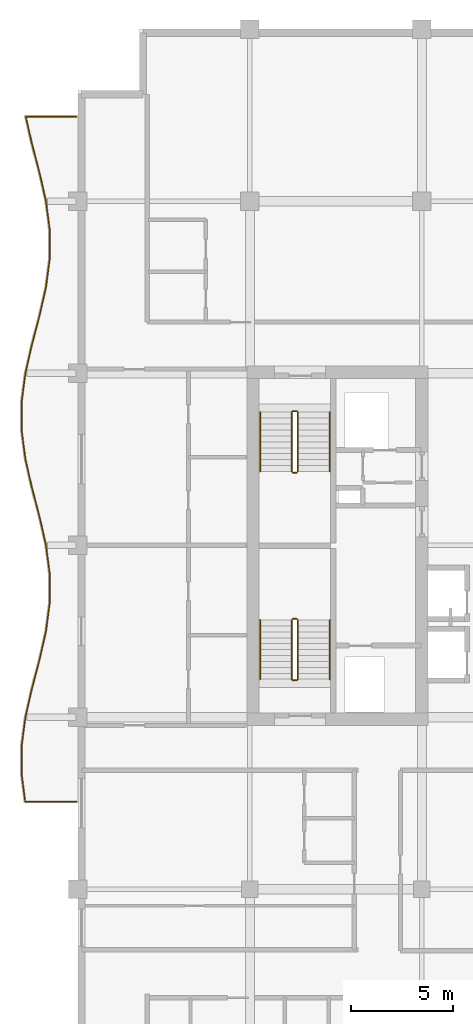
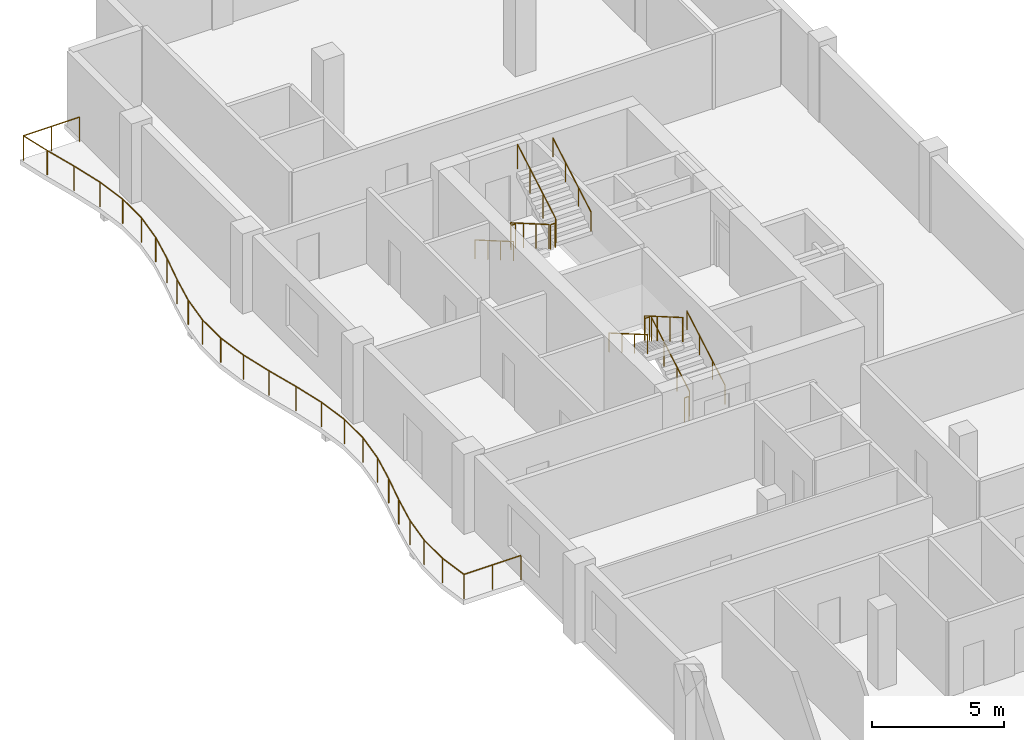
# One storey, part 12 of 12: 13 railings.
"""IFC4 building model written with IfcOpenShell, lengths in metres."""

from ifc_helpers import new_model, si_unit, direction, frame, origin, origin_2d, place, context, subcontext, project, spatial, circle, extrude, material, type_object, element, save


model = new_model("IFC4")

# Units and contexts
model_context = context("Model", 3, precision=1e-05, world=origin(), true_north=direction((0.0, 1.0)))
body_context = subcontext(model_context, "Body", "Model", "MODEL_VIEW")
ifc_project = project(units=[si_unit("LENGTHUNIT", "METRE"), si_unit("AREAUNIT", "SQUARE_METRE"), si_unit("VOLUMEUNIT", "CUBIC_METRE"), si_unit("PLANEANGLEUNIT", "RADIAN"), si_unit("MASSUNIT", "GRAM", prefix="KILO")], contexts=[model_context])

# Site, building, storey
site_placement = place(None, origin())
site = spatial("IfcSite", under=ifc_project, at=site_placement, CompositionType="ELEMENT")
building_placement = place(site_placement, origin())
building = spatial("IfcBuilding", under=site, at=building_placement, Name="Koriwani Terraces Tower", CompositionType="ELEMENT")
storey_placement = place(building_placement, frame((0.0, 0.0, 249.0)))
storey = spatial("IfcBuildingStorey", under=building, at=storey_placement, Name="L61", CompositionType="ELEMENT", Elevation=249.0)

# Railings
ifc_material = material(Name="Steel ASTM A572 Grade 50", Category="steel")
railing_type_1 = type_object("IfcRailingType", Name="GUARD_BALUSTRADE_1150", PredefinedType="BALUSTRADE", material=ifc_material)
railing_1_placement = place(storey_placement, frame((8.320068359375, 37.8798828125, 0.0)))
element("IfcRailing", 1, at=railing_1_placement, inside=storey, type_object=railing_type_1, Name="L61 Balcony Perimeter Safety Balustrade (W)", PredefinedType="BALUSTRADE", context=body_context, shape_type="SweptSolid", body=[
    extrude(circle(Radius=0.02392578125, at=origin_2d()), frame((0.0, 0.0, 1.1259765625), z_axis=(-1.0, 0.0, 0.0), x_axis=(0.0, -1.0, 0.0)), (0.0, 0.0, 1.0), 2.491943359375),
    extrude(circle(Radius=0.02392578125, at=origin_2d()), frame((-2.491943359375, 0.0, 1.1259765625), z_axis=(-0.130057587779, 0.991506441664, 0.0), x_axis=(-0.991506441664, -0.130057587779, 0.0)), (0.0, 0.0, 1.0), 1.33642578125),
    extrude(circle(Radius=0.02392578125, at=origin_2d()), frame((-2.665771484375, 1.3251953125, 1.1259765625), z_axis=(0.0, 1.0, 0.0), x_axis=(-1.0, 0.0, 0.0)), (0.0, 0.0, 1.0), 1.3896484375),
    extrude(circle(Radius=0.02392578125, at=origin_2d()), frame((-2.665771484375, 2.71484375, 1.1259765625), z_axis=(0.130157426935, 0.991493340479, 0.0), x_axis=(-0.991493340479, 0.130157426935, 0.0)), (0.0, 0.0, 1.0), 1.403076171875),
    extrude(circle(Radius=0.02392578125, at=origin_2d()), frame((-2.483154296875, 4.10595703125, 1.1259765625), z_axis=(0.221480974814, 0.975164692652, 0.0), x_axis=(-0.975164692652, 0.221480974814, 0.0)), (0.0, 0.0, 1.0), 1.430908203125),
    extrude(circle(Radius=0.02392578125, at=origin_2d()), frame((-2.166259765625, 5.501220703125, 1.1259765625), z_axis=(0.254028314271, 0.967196782226, 0.0), x_axis=(-0.967196782226, 0.254028314271, 0.0)), (0.0, 0.0, 1.0), 1.447265625),
    extrude(circle(Radius=0.02392578125, at=origin_2d()), frame((-1.798583984375, 6.901123046875, 1.1259765625), z_axis=(0.221665052023, 0.975122866469, 0.0), x_axis=(-0.975122866469, 0.221665052023, 0.0)), (0.0, 0.0, 1.0), 1.440673828125),
    extrude(circle(Radius=0.02392578125, at=origin_2d()), frame((-1.479248046875, 8.305908203125, 1.1259765625), z_axis=(0.12989004906, 0.991528403605, 0.0), x_axis=(-0.991528403605, 0.12989004906, 0.0)), (0.0, 0.0, 1.0), 1.4208984375),
    extrude(circle(Radius=0.02392578125, at=origin_2d()), frame((-1.294677734375, 9.71484375, 1.1259765625), z_axis=(0.0, 1.0, 0.0), x_axis=(-1.0, 0.0, 0.0)), (0.0, 0.0, 1.0), 1.410400390625),
    extrude(circle(Radius=0.02392578125, at=origin_2d()), frame((-1.294677734375, 11.125244140625, 1.1259765625), z_axis=(-0.12989004906, 0.991528403605, 0.0), x_axis=(-0.991528403605, -0.12989004906, 0.0)), (0.0, 0.0, 1.0), 1.4208984375),
    extrude(circle(Radius=0.02392578125, at=origin_2d()), frame((-1.479248046875, 12.5341796875, 1.1259765625), z_axis=(-0.221628427149, 0.975131191317, 0.0), x_axis=(-0.975131191317, -0.221628427149, 0.0)), (0.0, 0.0, 1.0), 1.44091796875),
    extrude(circle(Radius=0.02392578125, at=origin_2d()), frame((-1.798583984375, 13.939208984375, 1.1259765625), z_axis=(-0.254028314271, 0.967196782226, 0.0), x_axis=(-0.967196782226, -0.254028314271, 0.0)), (0.0, 0.0, 1.0), 1.447265625),
    extrude(circle(Radius=0.02392578125, at=origin_2d()), frame((-2.166259765625, 15.339111328125, 1.1259765625), z_axis=(-0.221517834068, 0.975156320387, 0.0), x_axis=(-0.975156320387, -0.221517834068, 0.0)), (0.0, 0.0, 1.0), 1.4306640625),
    extrude(circle(Radius=0.02392578125, at=origin_2d()), frame((-2.483154296875, 16.734130859375, 1.1259765625), z_axis=(-0.130157426935, 0.991493340479, 0.0), x_axis=(-0.991493340479, -0.130157426935, 0.0)), (0.0, 0.0, 1.0), 1.403076171875),
    extrude(circle(Radius=0.02392578125, at=origin_2d()), frame((-2.665771484375, 18.125244140625, 1.1259765625), z_axis=(0.0, 1.0, 0.0), x_axis=(-1.0, 0.0, 0.0)), (0.0, 0.0, 1.0), 1.3896484375),
    extrude(circle(Radius=0.02392578125, at=origin_2d()), frame((-2.665771484375, 19.514892578125, 1.1259765625), z_axis=(0.130157426935, 0.991493340479, 0.0), x_axis=(-0.991493340479, 0.130157426935, 0.0)), (0.0, 0.0, 1.0), 1.403076171875),
    extrude(circle(Radius=0.02392578125, at=origin_2d()), frame((-2.483154296875, 20.906005859375, 1.1259765625), z_axis=(0.221517834068, 0.975156320387, 0.0), x_axis=(-0.975156320387, 0.221517834068, 0.0)), (0.0, 0.0, 1.0), 1.4306640625),
    extrude(circle(Radius=0.02392578125, at=origin_2d()), frame((-2.166259765625, 22.301025390625, 1.1259765625), z_axis=(0.253986877518, 0.967207664387, 0.0), x_axis=(-0.967207664387, 0.253986877518, 0.0)), (0.0, 0.0, 1.0), 1.447509765625),
    extrude(circle(Radius=0.02392578125, at=origin_2d()), frame((-1.798583984375, 23.701171875, 1.1259765625), z_axis=(0.221665052023, 0.975122866469, 0.0), x_axis=(-0.975122866469, 0.221665052023, 0.0)), (0.0, 0.0, 1.0), 1.440673828125),
    extrude(circle(Radius=0.02392578125, at=origin_2d()), frame((-1.479248046875, 25.10595703125, 1.1259765625), z_axis=(0.12989004906, 0.991528403605, 0.0), x_axis=(-0.991528403605, 0.12989004906, 0.0)), (0.0, 0.0, 1.0), 1.4208984375),
    extrude(circle(Radius=0.02392578125, at=origin_2d()), frame((-1.294677734375, 26.514892578125, 1.1259765625), z_axis=(0.0, 1.0, 0.0), x_axis=(-1.0, 0.0, 0.0)), (0.0, 0.0, 1.0), 1.410400390625),
    extrude(circle(Radius=0.02392578125, at=origin_2d()), frame((-1.294677734375, 27.92529296875, 1.1259765625), z_axis=(-0.12989004906, 0.991528403605, 0.0), x_axis=(-0.991528403605, -0.12989004906, 0.0)), (0.0, 0.0, 1.0), 1.4208984375),
    extrude(circle(Radius=0.02392578125, at=origin_2d()), frame((-1.479248046875, 29.334228515625, 1.1259765625), z_axis=(-0.221665052023, 0.975122866469, 0.0), x_axis=(-0.975122866469, -0.221665052023, 0.0)), (0.0, 0.0, 1.0), 1.440673828125),
    extrude(circle(Radius=0.02392578125, at=origin_2d()), frame((-1.798583984375, 30.739013671875, 1.1259765625), z_axis=(-0.253986877518, 0.967207664387, 0.0), x_axis=(-0.967207664387, -0.253986877518, 0.0)), (0.0, 0.0, 1.0), 1.447509765625),
    extrude(circle(Radius=0.02392578125, at=origin_2d()), frame((-2.166259765625, 32.13916015625, 1.1259765625), z_axis=(-0.221597376316, 0.97513824805, 0.0), x_axis=(-0.97513824805, -0.221597376316, 0.0)), (0.0, 0.0, 1.0), 1.334228515625),
    extrude(circle(Radius=0.02392578125, at=origin_2d()), frame((-2.4619140625, 33.440185546875, 1.1259765625), z_axis=(1.0, 0.0, 0.0), x_axis=(0.0, 1.0, 0.0)), (0.0, 0.0, 1.0), 2.4619140625),
    extrude(circle(Radius=0.02099609375, at=origin_2d()), origin(), (0.0, 0.0, 1.0), 1.101806640625),
    extrude(circle(Radius=0.02099609375, at=origin_2d()), frame((-1.24609375, 0.0, 0.0)), (0.0, 0.0, 1.0), 1.101806640625),
    extrude(circle(Radius=0.02099609375, at=origin_2d()), frame((-2.491943359375, 0.0, 0.0)), (0.0, 0.0, 1.0), 1.101806640625),
    extrude(circle(Radius=0.02099609375, at=origin_2d()), frame((-2.665771484375, 1.3251953125, 0.0)), (0.0, 0.0, 1.0), 1.101806640625),
    extrude(circle(Radius=0.02099609375, at=origin_2d()), frame((-2.665771484375, 2.71484375, 0.0)), (0.0, 0.0, 1.0), 1.101806640625),
    extrude(circle(Radius=0.02099609375, at=origin_2d()), frame((-2.483154296875, 4.10595703125, 0.0)), (0.0, 0.0, 1.0), 1.101806640625),
    extrude(circle(Radius=0.02099609375, at=origin_2d()), frame((-2.166259765625, 5.501220703125, 0.0)), (0.0, 0.0, 1.0), 1.101806640625),
    extrude(circle(Radius=0.02099609375, at=origin_2d()), frame((-1.798583984375, 6.901123046875, 0.0)), (0.0, 0.0, 1.0), 1.101806640625),
    extrude(circle(Radius=0.02099609375, at=origin_2d()), frame((-1.479248046875, 8.305908203125, 0.0)), (0.0, 0.0, 1.0), 1.101806640625),
    extrude(circle(Radius=0.02099609375, at=origin_2d()), frame((-1.294677734375, 9.71484375, 0.0)), (0.0, 0.0, 1.0), 1.101806640625),
    extrude(circle(Radius=0.02099609375, at=origin_2d()), frame((-1.294677734375, 11.125244140625, 0.0)), (0.0, 0.0, 1.0), 1.101806640625),
    extrude(circle(Radius=0.02099609375, at=origin_2d()), frame((-1.479248046875, 12.5341796875, 0.0)), (0.0, 0.0, 1.0), 1.101806640625),
    extrude(circle(Radius=0.02099609375, at=origin_2d()), frame((-1.798583984375, 13.939208984375, 0.0)), (0.0, 0.0, 1.0), 1.101806640625),
    extrude(circle(Radius=0.02099609375, at=origin_2d()), frame((-2.166259765625, 15.339111328125, 0.0)), (0.0, 0.0, 1.0), 1.101806640625),
    extrude(circle(Radius=0.02099609375, at=origin_2d()), frame((-2.483154296875, 16.734130859375, 0.0)), (0.0, 0.0, 1.0), 1.101806640625),
    extrude(circle(Radius=0.02099609375, at=origin_2d()), frame((-2.665771484375, 18.125244140625, 0.0)), (0.0, 0.0, 1.0), 1.101806640625),
    extrude(circle(Radius=0.02099609375, at=origin_2d()), frame((-2.665771484375, 19.514892578125, 0.0)), (0.0, 0.0, 1.0), 1.101806640625),
    extrude(circle(Radius=0.02099609375, at=origin_2d()), frame((-2.483154296875, 20.906005859375, 0.0)), (0.0, 0.0, 1.0), 1.101806640625),
    extrude(circle(Radius=0.02099609375, at=origin_2d()), frame((-2.166259765625, 22.301025390625, 0.0)), (0.0, 0.0, 1.0), 1.101806640625),
    extrude(circle(Radius=0.02099609375, at=origin_2d()), frame((-1.798583984375, 23.701171875, 0.0)), (0.0, 0.0, 1.0), 1.101806640625),
    extrude(circle(Radius=0.02099609375, at=origin_2d()), frame((-1.479248046875, 25.10595703125, 0.0)), (0.0, 0.0, 1.0), 1.101806640625),
    extrude(circle(Radius=0.02099609375, at=origin_2d()), frame((-1.294677734375, 26.514892578125, 0.0)), (0.0, 0.0, 1.0), 1.101806640625),
    extrude(circle(Radius=0.02099609375, at=origin_2d()), frame((-1.294677734375, 27.92529296875, 0.0)), (0.0, 0.0, 1.0), 1.101806640625),
    extrude(circle(Radius=0.02099609375, at=origin_2d()), frame((-1.479248046875, 29.334228515625, 0.0)), (0.0, 0.0, 1.0), 1.101806640625),
    extrude(circle(Radius=0.02099609375, at=origin_2d()), frame((-1.798583984375, 30.739013671875, 0.0)), (0.0, 0.0, 1.0), 1.101806640625),
    extrude(circle(Radius=0.02099609375, at=origin_2d()), frame((-2.166259765625, 32.13916015625, 0.0)), (0.0, 0.0, 1.0), 1.101806640625),
    extrude(circle(Radius=0.02099609375, at=origin_2d()), frame((-2.4619140625, 33.440185546875, 0.0)), (0.0, 0.0, 1.0), 1.101806640625),
    extrude(circle(Radius=0.02099609375, at=origin_2d()), frame((-1.23095703125, 33.440185546875, 0.0)), (0.0, 0.0, 1.0), 1.101806640625),
    extrude(circle(Radius=0.02099609375, at=origin_2d()), frame((0.0, 33.440185546875, 0.0)), (0.0, 0.0, 1.0), 1.101806640625),
])
railing_type_2 = type_object("IfcRailingType", Name="GUARD_STAIR_WELL_1120", PredefinedType="GUARDRAIL", material=ifc_material)
railing_2_placement = place(storey_placement, frame((19.14990234375, 43.85009765625, 0.168212890625)))
element("IfcRailing", 2, at=railing_2_placement, inside=storey, type_object=railing_type_2, Name="L61 ST-W1 stair guard 1", PredefinedType="GUARDRAIL", context=body_context, shape_type="SweptSolid", body=[
    extrude(circle(Radius=0.02392578125, at=origin_2d()), frame((0.0, 0.0, 1.1259765625), z_axis=(0.0, 0.865038774852, 0.501705010941), x_axis=(-1.0, 0.0, 0.0)), (0.0, 0.0, 1.0), 3.352294921875),
    extrude(circle(Radius=0.02099609375, at=origin_2d()), origin(), (0.0, 0.0, 1.0), 1.101806640625),
    extrude(circle(Radius=0.02099609375, at=origin_2d()), frame((0.0, 0.966552734375, 0.560546875)), (0.0, 0.0, 1.0), 1.101806640625),
    extrude(circle(Radius=0.02099609375, at=origin_2d()), frame((0.0, 1.933349609375, 1.121337890625)), (0.0, 0.0, 1.0), 1.101806640625),
    extrude(circle(Radius=0.02099609375, at=origin_2d()), frame((0.0, 2.89990234375, 1.681884765625)), (0.0, 0.0, 1.0), 1.101806640625),
])
railing_3_placement = place(storey_placement, frame((19.10009765625, 46.800048828125, 1.85009765625)))
element("IfcRailing", 3, at=railing_3_placement, inside=storey, type_object=railing_type_2, Name="L61 ST-W1 stair guard 2", PredefinedType="GUARDRAIL", context=body_context, shape_type="SweptSolid", body=[
    extrude(circle(Radius=0.02392578125, at=origin_2d()), frame((0.0, 0.0, 1.1259765625), z_axis=(-1.0, 0.0, 0.0), x_axis=(0.0, -1.0, 0.0)), (0.0, 0.0, 1.0), 0.2001953125),
    extrude(circle(Radius=0.02099609375, at=origin_2d()), origin(), (0.0, 0.0, 1.0), 1.101806640625),
    extrude(circle(Radius=0.02099609375, at=origin_2d()), frame((-0.2001953125, 0.0, 0.0)), (0.0, 0.0, 1.0), 1.101806640625),
])
railing_4_placement = place(storey_placement, frame((18.85009765625, 46.75, 2.01806640625)))
element("IfcRailing", 4, at=railing_4_placement, inside=storey, type_object=railing_type_2, Name="L61 ST-W1 stair guard 3", PredefinedType="GUARDRAIL", context=body_context, shape_type="SweptSolid", body=[
    extrude(circle(Radius=0.02392578125, at=origin_2d()), frame((0.0, 0.0, 1.1259765625), z_axis=(0.0, -0.865038774852, 0.501705010941), x_axis=(1.0, 0.0, 0.0)), (0.0, 0.0, 1.0), 3.352294921875),
    extrude(circle(Radius=0.02099609375, at=origin_2d()), origin(), (0.0, 0.0, 1.0), 1.101806640625),
    extrude(circle(Radius=0.02099609375, at=origin_2d()), frame((0.0, -0.966552734375, 0.560546875)), (0.0, 0.0, 1.0), 1.101806640625),
    extrude(circle(Radius=0.02099609375, at=origin_2d()), frame((0.0, -1.933349609375, 1.121337890625)), (0.0, 0.0, 1.0), 1.101806640625),
    extrude(circle(Radius=0.02099609375, at=origin_2d()), frame((0.0, -2.89990234375, 1.681884765625)), (0.0, 0.0, 1.0), 1.101806640625),
])
railing_5_placement = place(storey_placement, frame((19.10009765625, 43.800048828125, 0.0)))
element("IfcRailing", 5, at=railing_5_placement, inside=storey, type_object=railing_type_2, Name="L61 ST-W1 stair guard 4", PredefinedType="GUARDRAIL", context=body_context, shape_type="SweptSolid", body=[
    extrude(circle(Radius=0.02392578125, at=origin_2d()), frame((0.0, 0.0, 1.1259765625), z_axis=(-1.0, 0.0, 0.0), x_axis=(0.0, -1.0, 0.0)), (0.0, 0.0, 1.0), 0.2001953125),
    extrude(circle(Radius=0.02099609375, at=origin_2d()), origin(), (0.0, 0.0, 1.0), 1.101806640625),
    extrude(circle(Radius=0.02099609375, at=origin_2d()), frame((-0.2001953125, 0.0, 0.0)), (0.0, 0.0, 1.0), 1.101806640625),
])
railing_6_placement = place(storey_placement, frame((18.85009765625, 56.89990234375, 0.168212890625)))
element("IfcRailing", 6, at=railing_6_placement, inside=storey, type_object=railing_type_2, Name="L61 ST-W2 stair guard 1", PredefinedType="GUARDRAIL", context=body_context, shape_type="SweptSolid", body=[
    extrude(circle(Radius=0.02392578125, at=origin_2d()), frame((0.0, 0.0, 1.1259765625), z_axis=(0.0, -0.865038774852, 0.501705010941), x_axis=(1.0, 0.0, 0.0)), (0.0, 0.0, 1.0), 3.352294921875),
    extrude(circle(Radius=0.02099609375, at=origin_2d()), origin(), (0.0, 0.0, 1.0), 1.101806640625),
    extrude(circle(Radius=0.02099609375, at=origin_2d()), frame((0.0, -0.966552734375, 0.560546875)), (0.0, 0.0, 1.0), 1.101806640625),
    extrude(circle(Radius=0.02099609375, at=origin_2d()), frame((0.0, -1.933349609375, 1.121337890625)), (0.0, 0.0, 1.0), 1.101806640625),
    extrude(circle(Radius=0.02099609375, at=origin_2d()), frame((0.0, -2.89990234375, 1.681884765625)), (0.0, 0.0, 1.0), 1.101806640625),
])
railing_7_placement = place(storey_placement, frame((18.89990234375, 53.949951171875, 1.85009765625)))
element("IfcRailing", 7, at=railing_7_placement, inside=storey, type_object=railing_type_2, Name="L61 ST-W2 stair guard 2", PredefinedType="GUARDRAIL", context=body_context, shape_type="SweptSolid", body=[
    extrude(circle(Radius=0.02392578125, at=origin_2d()), frame((0.0, 0.0, 1.1259765625), z_axis=(1.0, 0.0, 0.0), x_axis=(0.0, 1.0, 0.0)), (0.0, 0.0, 1.0), 0.2001953125),
    extrude(circle(Radius=0.02099609375, at=origin_2d()), origin(), (0.0, 0.0, 1.0), 1.101806640625),
    extrude(circle(Radius=0.02099609375, at=origin_2d()), frame((0.2001953125, 0.0, 0.0)), (0.0, 0.0, 1.0), 1.101806640625),
])
railing_8_placement = place(storey_placement, frame((19.14990234375, 54.0, 2.01806640625)))
element("IfcRailing", 8, at=railing_8_placement, inside=storey, type_object=railing_type_2, Name="L61 ST-W2 stair guard 3", PredefinedType="GUARDRAIL", context=body_context, shape_type="SweptSolid", body=[
    extrude(circle(Radius=0.02392578125, at=origin_2d()), frame((0.0, 0.0, 1.1259765625), z_axis=(0.0, 0.865038774852, 0.501705010941), x_axis=(-1.0, 0.0, 0.0)), (0.0, 0.0, 1.0), 3.352294921875),
    extrude(circle(Radius=0.02099609375, at=origin_2d()), origin(), (0.0, 0.0, 1.0), 1.101806640625),
    extrude(circle(Radius=0.02099609375, at=origin_2d()), frame((0.0, 0.966552734375, 0.560546875)), (0.0, 0.0, 1.0), 1.101806640625),
    extrude(circle(Radius=0.02099609375, at=origin_2d()), frame((0.0, 1.933349609375, 1.121337890625)), (0.0, 0.0, 1.0), 1.101806640625),
    extrude(circle(Radius=0.02099609375, at=origin_2d()), frame((0.0, 2.89990234375, 1.681884765625)), (0.0, 0.0, 1.0), 1.101806640625),
])
railing_9_placement = place(storey_placement, frame((18.89990234375, 56.949951171875, 0.0)))
element("IfcRailing", 9, at=railing_9_placement, inside=storey, type_object=railing_type_2, Name="L61 ST-W2 stair guard 4", PredefinedType="GUARDRAIL", context=body_context, shape_type="SweptSolid", body=[
    extrude(circle(Radius=0.02392578125, at=origin_2d()), frame((0.0, 0.0, 1.1259765625), z_axis=(1.0, 0.0, 0.0), x_axis=(0.0, 1.0, 0.0)), (0.0, 0.0, 1.0), 0.2001953125),
    extrude(circle(Radius=0.02099609375, at=origin_2d()), origin(), (0.0, 0.0, 1.0), 1.101806640625),
    extrude(circle(Radius=0.02099609375, at=origin_2d()), frame((0.2001953125, 0.0, 0.0)), (0.0, 0.0, 1.0), 1.101806640625),
])
railing_type_3 = type_object("IfcRailingType", Name="HANDRAIL_STAIR_920", PredefinedType="HANDRAIL", material=ifc_material)
railing_10_placement = place(storey_placement, frame((20.699951171875, 43.85009765625, 0.168212890625)))
element("IfcRailing", 10, at=railing_10_placement, inside=storey, type_object=railing_type_3, Name="L61 ST-W1 stair handrail 1", PredefinedType="HANDRAIL", context=body_context, shape_type="SweptSolid", body=[
    extrude(circle(Radius=0.02392578125, at=origin_2d()), frame((0.0, 0.0, 0.8759765625), z_axis=(0.0, 0.865038774852, 0.501705010941), x_axis=(-1.0, 0.0, 0.0)), (0.0, 0.0, 1.0), 3.352294921875),
    extrude(circle(Radius=0.02099609375, at=origin_2d()), origin(), (0.0, 0.0, 1.0), 0.851806640625),
    extrude(circle(Radius=0.02099609375, at=origin_2d()), frame((0.0, 0.966552734375, 0.560546875)), (0.0, 0.0, 1.0), 0.851806640625),
    extrude(circle(Radius=0.02099609375, at=origin_2d()), frame((0.0, 1.933349609375, 1.121337890625)), (0.0, 0.0, 1.0), 0.851806640625),
    extrude(circle(Radius=0.02099609375, at=origin_2d()), frame((0.0, 2.89990234375, 1.681884765625)), (0.0, 0.0, 1.0), 0.851806640625),
])
for number, where, name in (
    (11, (17.300048828125, 46.75, 2.01806640625), "L61 ST-W1 stair handrail 2"),
    (12, (17.300048828125, 56.89990234375, 0.168212890625), "L61 ST-W2 stair handrail 1"),
):
    element("IfcRailing", number, at=place(storey_placement, frame(where)), inside=storey, type_object=railing_type_3, Name=name, PredefinedType="HANDRAIL", context=body_context, shape_type="SweptSolid", body=[
        extrude(circle(Radius=0.02392578125, at=origin_2d()), frame((0.0, 0.0, 0.8759765625), z_axis=(0.0, -0.865038774852, 0.501705010941), x_axis=(1.0, 0.0, 0.0)), (0.0, 0.0, 1.0), 3.352294921875),
        extrude(circle(Radius=0.02099609375, at=origin_2d()), origin(), (0.0, 0.0, 1.0), 0.851806640625),
        extrude(circle(Radius=0.02099609375, at=origin_2d()), frame((0.0, -0.966552734375, 0.560546875)), (0.0, 0.0, 1.0), 0.851806640625),
        extrude(circle(Radius=0.02099609375, at=origin_2d()), frame((0.0, -1.933349609375, 1.121337890625)), (0.0, 0.0, 1.0), 0.851806640625),
        extrude(circle(Radius=0.02099609375, at=origin_2d()), frame((0.0, -2.89990234375, 1.681884765625)), (0.0, 0.0, 1.0), 0.851806640625),
    ])
railing_11_placement = place(storey_placement, frame((20.699951171875, 54.0, 2.01806640625)))
element("IfcRailing", 13, at=railing_11_placement, inside=storey, type_object=railing_type_3, Name="L61 ST-W2 stair handrail 2", PredefinedType="HANDRAIL", context=body_context, shape_type="SweptSolid", body=[
    extrude(circle(Radius=0.02392578125, at=origin_2d()), frame((0.0, 0.0, 0.8759765625), z_axis=(0.0, 0.865038774852, 0.501705010941), x_axis=(-1.0, 0.0, 0.0)), (0.0, 0.0, 1.0), 3.352294921875),
    extrude(circle(Radius=0.02099609375, at=origin_2d()), origin(), (0.0, 0.0, 1.0), 0.851806640625),
    extrude(circle(Radius=0.02099609375, at=origin_2d()), frame((0.0, 0.966552734375, 0.560546875)), (0.0, 0.0, 1.0), 0.851806640625),
    extrude(circle(Radius=0.02099609375, at=origin_2d()), frame((0.0, 1.933349609375, 1.121337890625)), (0.0, 0.0, 1.0), 0.851806640625),
    extrude(circle(Radius=0.02099609375, at=origin_2d()), frame((0.0, 2.89990234375, 1.681884765625)), (0.0, 0.0, 1.0), 0.851806640625),
])

save(model, "model.ifc")
